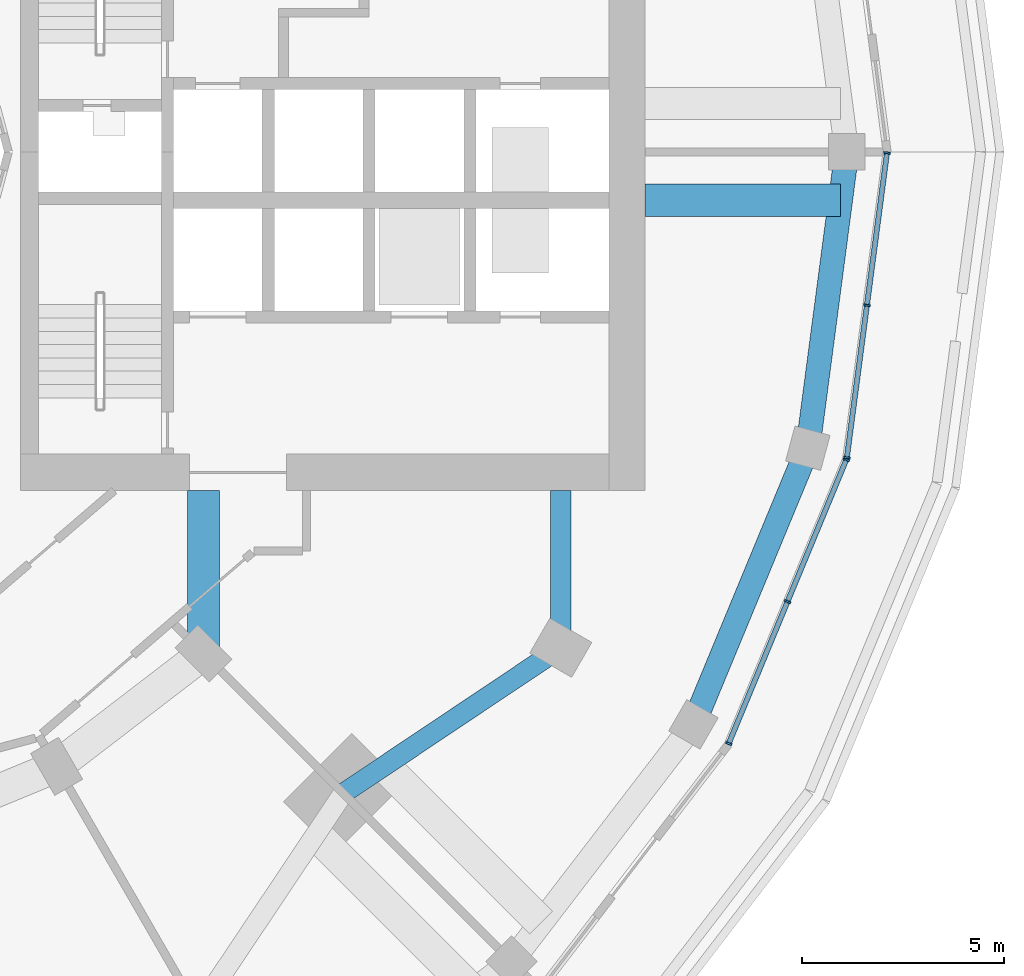
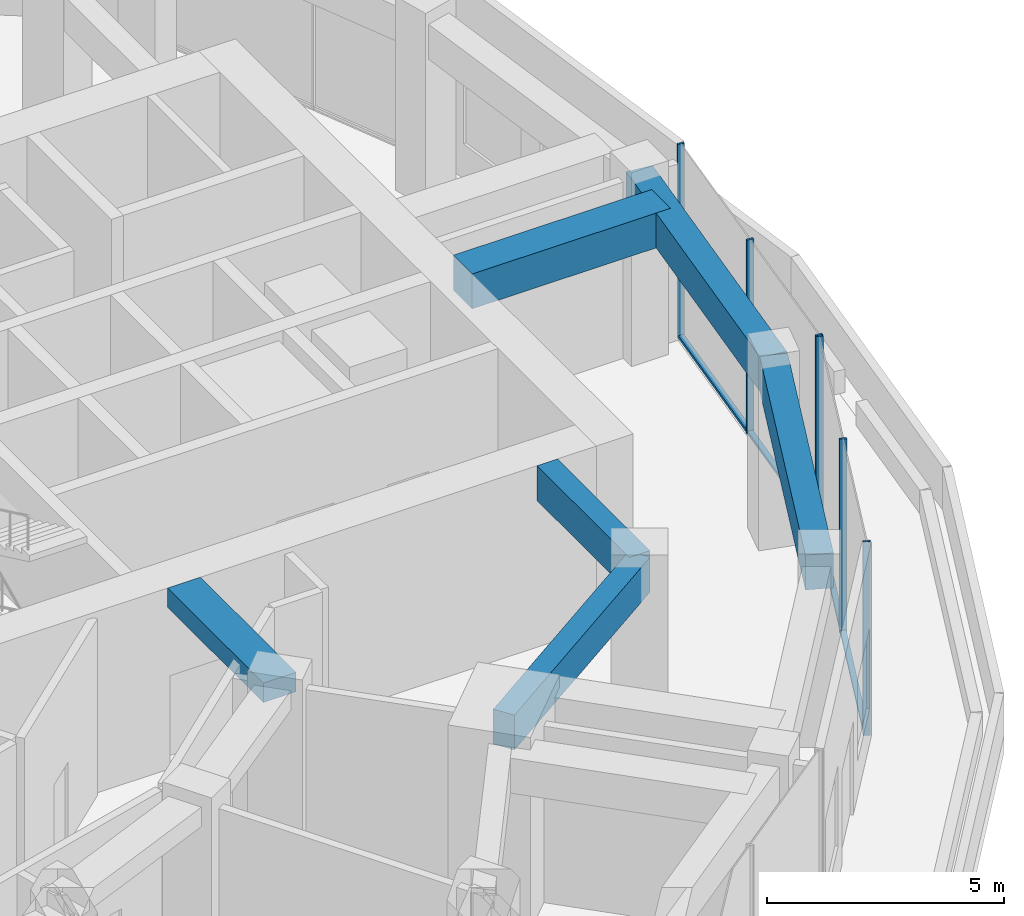
# One storey, part 5 of 19: 10 members, 6 beams, 2 elements without a shape of their own.
"""IFC4 building model written with IfcOpenShell, lengths in metres."""

from ifc_helpers import new_model, si_unit, direction, frame, origin, origin_2d, place, context, subcontext, project, spatial, rectangle, extrude, material, layer, layer_set, material_profile, profile_set, type_object, element, aggregate, save


model = new_model("IFC4")

# Units and contexts
model_context = context("Model", 3, precision=1e-05, world=origin(), true_north=direction((0.0, 1.0)))
body_context = subcontext(model_context, "Body", "Model", "MODEL_VIEW")
ifc_project = project(units=[si_unit("LENGTHUNIT", "METRE"), si_unit("AREAUNIT", "SQUARE_METRE"), si_unit("VOLUMEUNIT", "CUBIC_METRE"), si_unit("PLANEANGLEUNIT", "RADIAN"), si_unit("MASSUNIT", "GRAM", prefix="KILO")], contexts=[model_context])

# Site, building, storey
site_placement = place(None, origin())
site = spatial("IfcSite", under=ifc_project, at=site_placement, CompositionType="ELEMENT")
building_placement = place(site_placement, origin())
building = spatial("IfcBuilding", under=site, at=building_placement, Name="Torre Brocal", CompositionType="ELEMENT")
storey_placement = place(building_placement, frame((0.0, 0.0, 23.800048828125)))
storey = spatial("IfcBuildingStorey", under=building, at=storey_placement, Name="L04", CompositionType="ELEMENT", Elevation=23.800048828125)

# Curtain wall, members
ifc_material_1 = material(Name="Aluminium and glass", Category="aluminium")
ifc_layer = layer(ifc_material_1, 0.199951171875)
ifc_layer_set = layer_set([ifc_layer], Name="Aluminium and glass")
curtain_wall_type = type_object("IfcCurtainWallType", Name="CW-6 CURTAIN WALL 5000 HIGH", PredefinedType="NOTDEFINED", material=ifc_layer_set)
curtain_wall_1_placement = place(storey_placement, origin())
curtain_wall_1 = element("IfcCurtainWall", 1, at=curtain_wall_1_placement, inside=storey, type_object=curtain_wall_type, Name="CW-6 RUN 23", PredefinedType="NOTDEFINED")
ifc_material_2 = material(Name="Aluminium, dark anodised", Category="aluminium")
ifc_material_profile_1 = material_profile(ifc_material_2, rectangle(XDim=0.159912109375, YDim=0.050048828125, at=origin_2d()), Name="CW-6 MULLION 50X160")
ifc_profile_set_1 = profile_set([ifc_material_profile_1], Name="Aluminium, dark anodised")
member_type_1 = type_object("IfcMemberType", Name="CW-6 MULLION 50X160", PredefinedType="MULLION", material=ifc_profile_set_1)
member_1_placement = place(storey_placement, frame((105.469970703125, 60.323486328125, 0.0), z_axis=(0.0, 0.0, 1.0), x_axis=(-0.923879532511, 0.382683432365, 0.0)))
member_1 = element("IfcMember", 2, at=member_1_placement, type_object=member_type_1, Name="CW6-3 mullion 1", PredefinedType="MULLION", context=body_context, shape_type="SweptSolid", body=[
    extrude(rectangle(XDim=0.159912109375, YDim=0.050048828125, at=origin_2d()), origin(), (0.0, 0.0, 1.0), 5.0),
])
member_2_placement = place(storey_placement, frame((106.928955078125, 63.845703125, 0.0), z_axis=(0.0, 0.0, 1.0), x_axis=(-0.923879532511, 0.382683432365, 0.0)))
member_2 = element("IfcMember", 3, at=member_2_placement, type_object=member_type_1, Name="CW6-3 mullion 2", PredefinedType="MULLION", context=body_context, shape_type="SweptSolid", body=[
    extrude(rectangle(XDim=0.159912109375, YDim=0.050048828125, at=origin_2d()), origin(), (0.0, 0.0, 1.0), 5.0),
])
member_3_placement = place(storey_placement, frame((108.387939453125, 67.367919921875, 0.0), z_axis=(0.0, 0.0, 1.0), x_axis=(-0.923879532511, 0.382683432365, 0.0)))
member_3 = element("IfcMember", 4, at=member_3_placement, type_object=member_type_1, Name="CW6-3 mullion 3", PredefinedType="MULLION", context=body_context, shape_type="SweptSolid", body=[
    extrude(rectangle(XDim=0.159912109375, YDim=0.050048828125, at=origin_2d()), origin(), (0.0, 0.0, 1.0), 5.0),
])

curtain_wall_2_placement = place(storey_placement, origin())
curtain_wall_2 = element("IfcCurtainWall", 5, at=curtain_wall_2_placement, inside=storey, type_object=curtain_wall_type, Name="CW-6 RUN 24", PredefinedType="NOTDEFINED")
member_4_placement = place(storey_placement, frame((108.400634765625, 67.415771484375, 0.0), z_axis=(0.0, 0.0, 1.0), x_axis=(-0.991444861367, 0.130526192272, 0.0)))
member_4 = element("IfcMember", 6, at=member_4_placement, type_object=member_type_1, Name="CW6-3 mullion 1", PredefinedType="MULLION", context=body_context, shape_type="SweptSolid", body=[
    extrude(rectangle(XDim=0.159912109375, YDim=0.050048828125, at=origin_2d()), origin(), (0.0, 0.0, 1.0), 5.0),
])
member_5_placement = place(storey_placement, frame((108.898193359375, 71.195556640625, 0.0), z_axis=(0.0, 0.0, 1.0), x_axis=(-0.991444861367, 0.130526192272, 0.0)))
member_5 = element("IfcMember", 7, at=member_5_placement, type_object=member_type_1, Name="CW6-3 mullion 2", PredefinedType="MULLION", context=body_context, shape_type="SweptSolid", body=[
    extrude(rectangle(XDim=0.159912109375, YDim=0.050048828125, at=origin_2d()), origin(), (0.0, 0.0, 1.0), 5.0),
])
member_6_placement = place(storey_placement, frame((109.395751953125, 74.97509765625, 0.0), z_axis=(0.0, 0.0, 1.0), x_axis=(-0.991444861367, 0.130526192272, 0.0)))
member_6 = element("IfcMember", 8, at=member_6_placement, type_object=member_type_1, Name="CW6-3 mullion 3", PredefinedType="MULLION", context=body_context, shape_type="SweptSolid", body=[
    extrude(rectangle(XDim=0.159912109375, YDim=0.050048828125, at=origin_2d()), origin(), (0.0, 0.0, 1.0), 5.0),
])

# Member
ifc_material_3 = material(Name="Aluminium, dark anodised", Category="aluminium")
ifc_material_profile_2 = material_profile(ifc_material_3, rectangle(XDim=0.1298828125, YDim=0.070068359375, at=origin_2d()), Name="CW-6 TRANSOM 130X70")
ifc_profile_set_2 = profile_set([ifc_material_profile_2], Name="Aluminium, dark anodised")
member_type_2 = type_object("IfcMemberType", Name="CW-6 TRANSOM 130X70", PredefinedType="USERDEFINED", material=ifc_profile_set_2)
member_7_placement = place(storey_placement, frame((105.4794921875, 60.3466796875, 0.034912109375), z_axis=(0.382730041872, 0.923860224844, 0.0), x_axis=(-0.923860224844, 0.382730041872, 0.0)))
member_7 = element("IfcMember", 9, at=member_7_placement, type_object=member_type_2, Name="CW6-3 transom 1.1", ObjectType="TRANSOM", PredefinedType="USERDEFINED", context=body_context, shape_type="SweptSolid", body=[
    extrude(rectangle(XDim=0.1298828125, YDim=0.070068359375, at=origin_2d()), origin(), (0.0, 0.0, 1.0), 3.76220703125),
])

member_8_placement = place(storey_placement, frame((106.9384765625, 63.868896484375, 0.034912109375), z_axis=(0.382674653767, 0.923883168677, 0.0), x_axis=(-0.923883168677, 0.382674653767, 0.0)))
member_8 = element("IfcMember", 10, at=member_8_placement, type_object=member_type_2, Name="CW6-3 transom 2.1", ObjectType="TRANSOM", PredefinedType="USERDEFINED", context=body_context, shape_type="SweptSolid", body=[
    extrude(rectangle(XDim=0.1298828125, YDim=0.070068359375, at=origin_2d()), origin(), (0.0, 0.0, 1.0), 3.76220703125),
])

aggregate(curtain_wall_1, [member_1, member_2, member_3, member_7, member_8])

member_9_placement = place(storey_placement, frame((108.40380859375, 67.4404296875, 0.034912109375), z_axis=(0.13055690328, 0.991440817702, 0.0), x_axis=(-0.991440817702, 0.13055690328, 0.0)))
member_9 = element("IfcMember", 11, at=member_9_placement, type_object=member_type_2, Name="CW6-3 transom 1.1", ObjectType="TRANSOM", PredefinedType="USERDEFINED", context=body_context, shape_type="SweptSolid", body=[
    extrude(rectangle(XDim=0.1298828125, YDim=0.070068359375, at=origin_2d()), origin(), (0.0, 0.0, 1.0), 3.762451171875),
])

member_10_placement = place(storey_placement, frame((108.901611328125, 71.22021484375, 0.034912109375), z_axis=(0.130493119395, 0.991449214933, 0.0), x_axis=(-0.991449214933, 0.130493119395, 0.0)))
member_10 = element("IfcMember", 12, at=member_10_placement, type_object=member_type_2, Name="CW6-3 transom 2.1", ObjectType="TRANSOM", PredefinedType="USERDEFINED", context=body_context, shape_type="SweptSolid", body=[
    extrude(rectangle(XDim=0.1298828125, YDim=0.070068359375, at=origin_2d()), origin(), (0.0, 0.0, 1.0), 3.762451171875),
])

aggregate(curtain_wall_2, [member_4, member_5, member_6, member_9, member_10])

# Beams
ifc_material_4 = material(Name="Concrete C50", Category="concrete")
ifc_material_profile_3 = material_profile(ifc_material_4, rectangle(XDim=0.60009765625, YDim=0.89990234375, at=origin_2d()), Name="RC 600X900")
ifc_profile_set_3 = profile_set([ifc_material_profile_3], Name="Concrete C50")
beam_type_1 = type_object("IfcBeamType", Name="RC BEAM 600X900 C50 TOP 4680", PredefinedType="BEAM", material=ifc_profile_set_3)
beam_1_placement = place(storey_placement, frame((104.59521484375, 60.800048828125, 4.22998046875), z_axis=(0.382678493716, 0.923881578151, 0.0), x_axis=(-0.923881578151, 0.382678493716, 0.0)))
element("IfcBeam", 13, at=beam_1_placement, inside=storey, type_object=beam_type_1, Name="Beam BT-16", PredefinedType="BEAM", context=body_context, shape_type="SweptSolid", body=[
    extrude(rectangle(XDim=0.60009765625, YDim=0.89990234375, at=origin_2d()), origin(), (0.0, 0.0, 1.0), 7.4140625),
])
beam_2_placement = place(storey_placement, frame((107.432373046875, 67.649658203125, 4.22998046875), z_axis=(0.130504771669, 0.991447681208, 0.0), x_axis=(-0.991447681208, 0.130504771669, 0.0)))
element("IfcBeam", 14, at=beam_2_placement, inside=storey, type_object=beam_type_1, Name="Beam BT-16", PredefinedType="BEAM", context=body_context, shape_type="SweptSolid", body=[
    extrude(rectangle(XDim=0.60009765625, YDim=0.89990234375, at=origin_2d()), origin(), (0.0, 0.0, 1.0), 7.413818359375),
])
ifc_material_5 = material(Name="Concrete C50", Category="concrete")
ifc_material_profile_4 = material_profile(ifc_material_5, rectangle(XDim=0.800048828125, YDim=0.5, at=origin_2d()), Name="RC 800X500")
ifc_profile_set_4 = profile_set([ifc_material_profile_4], Name="Concrete C50")
beam_type_2 = type_object("IfcBeamType", Name="RC BEAM 800X500 C50 TOP 4680", PredefinedType="BEAM", material=ifc_profile_set_4)
beam_3_placement = place(storey_placement, frame((92.445068359375, 62.554931640625, 4.429931640625), z_axis=(0.0, 1.0, 0.0), x_axis=(-1.0, 0.0, 0.0)))
element("IfcBeam", 15, at=beam_3_placement, inside=storey, type_object=beam_type_2, Name="Beam BT-17", PredefinedType="BEAM", context=body_context, shape_type="SweptSolid", body=[
    extrude(rectangle(XDim=0.800048828125, YDim=0.5, at=origin_2d()), origin(), (0.0, 0.0, 1.0), 4.045166015625),
])
ifc_material_6 = material(Name="Concrete C50", Category="concrete")
ifc_material_profile_5 = material_profile(ifc_material_6, rectangle(XDim=0.800048828125, YDim=0.89990234375, at=origin_2d()), Name="RC 800X900")
ifc_profile_set_5 = profile_set([ifc_material_profile_5], Name="Concrete C50")
beam_type_3 = type_object("IfcBeamType", Name="RC BEAM 800X900 C50 TOP 4680", PredefinedType="BEAM", material=ifc_profile_set_5)
beam_4_placement = place(storey_placement, frame((103.39990234375, 73.800048828125, 4.22998046875), z_axis=(1.0, 0.0, 0.0), x_axis=(0.0, 1.0, 0.0)))
element("IfcBeam", 16, at=beam_4_placement, inside=storey, type_object=beam_type_3, Name="Beam BT-54", PredefinedType="BEAM", context=body_context, shape_type="SweptSolid", body=[
    extrude(rectangle(XDim=0.800048828125, YDim=0.89990234375, at=origin_2d()), origin(), (0.0, 0.0, 1.0), 4.842041015625),
])
ifc_material_7 = material(Name="Concrete C50", Category="concrete")
ifc_material_profile_6 = material_profile(ifc_material_7, rectangle(XDim=0.5, YDim=0.89990234375, at=origin_2d()), Name="RC 500X900")
ifc_profile_set_6 = profile_set([ifc_material_profile_6], Name="Concrete C50")
beam_type_4 = type_object("IfcBeamType", Name="RC SPANDREL BEAM 500X900 C50 TOP 4680", PredefinedType="SPANDREL", material=ifc_profile_set_6)
beam_5_placement = place(storey_placement, frame((95.909912109375, 59.090087890625, 4.22998046875), z_axis=(0.831076844476, 0.556157602282, 0.0), x_axis=(-0.556157602282, 0.831076844476, 0.0)))
element("IfcBeam", 17, at=beam_5_placement, inside=storey, type_object=beam_type_4, Name="Beam BT-18", PredefinedType="SPANDREL", context=body_context, shape_type="SweptSolid", body=[
    extrude(rectangle(XDim=0.5, YDim=0.89990234375, at=origin_2d()), origin(), (0.0, 0.0, 1.0), 6.49072265625),
])
beam_6_placement = place(storey_placement, frame((101.30419921875, 62.699951171875, 4.22998046875), z_axis=(0.0, 1.0, 0.0), x_axis=(-1.0, 0.0, 0.0)))
element("IfcBeam", 18, at=beam_6_placement, inside=storey, type_object=beam_type_4, Name="Beam BT-18", PredefinedType="SPANDREL", context=body_context, shape_type="SweptSolid", body=[
    extrude(rectangle(XDim=0.5, YDim=0.89990234375, at=origin_2d()), origin(), (0.0, 0.0, 1.0), 3.900146484375),
])

save(model, "model.ifc")
